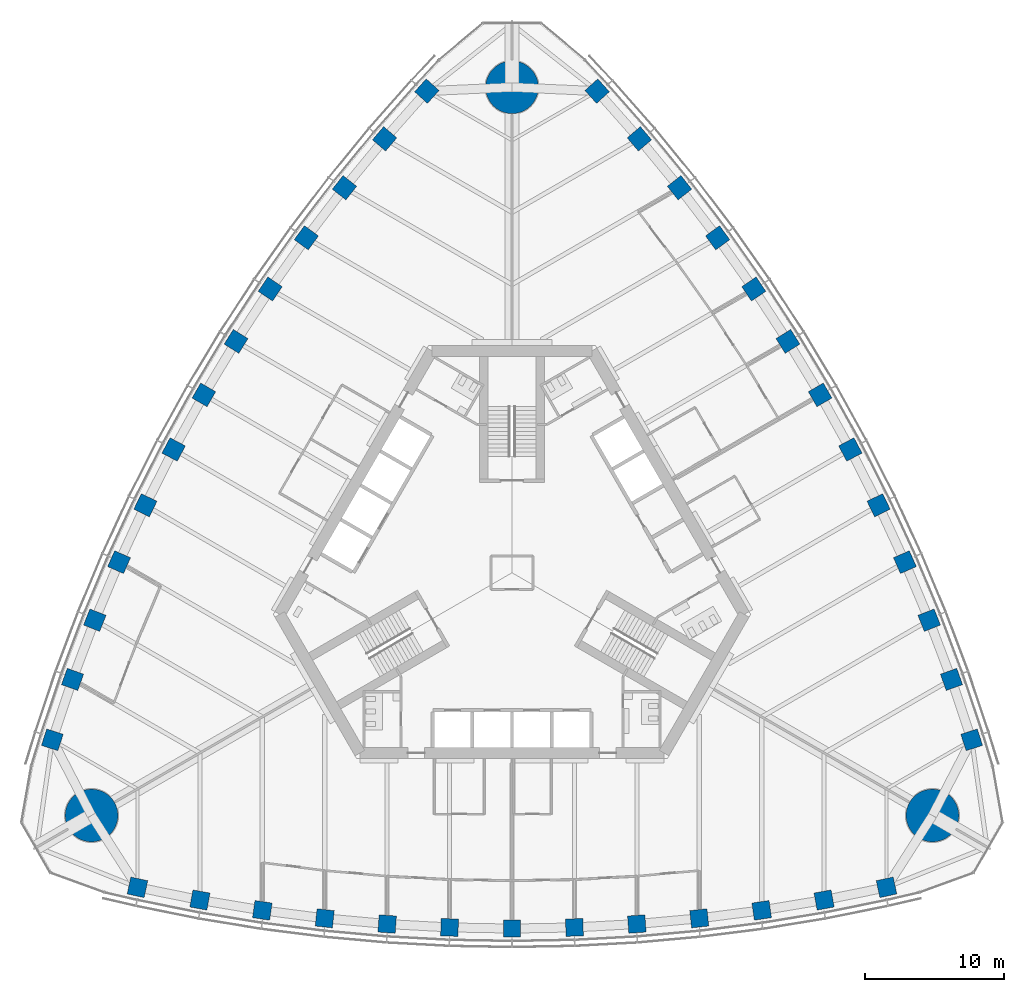
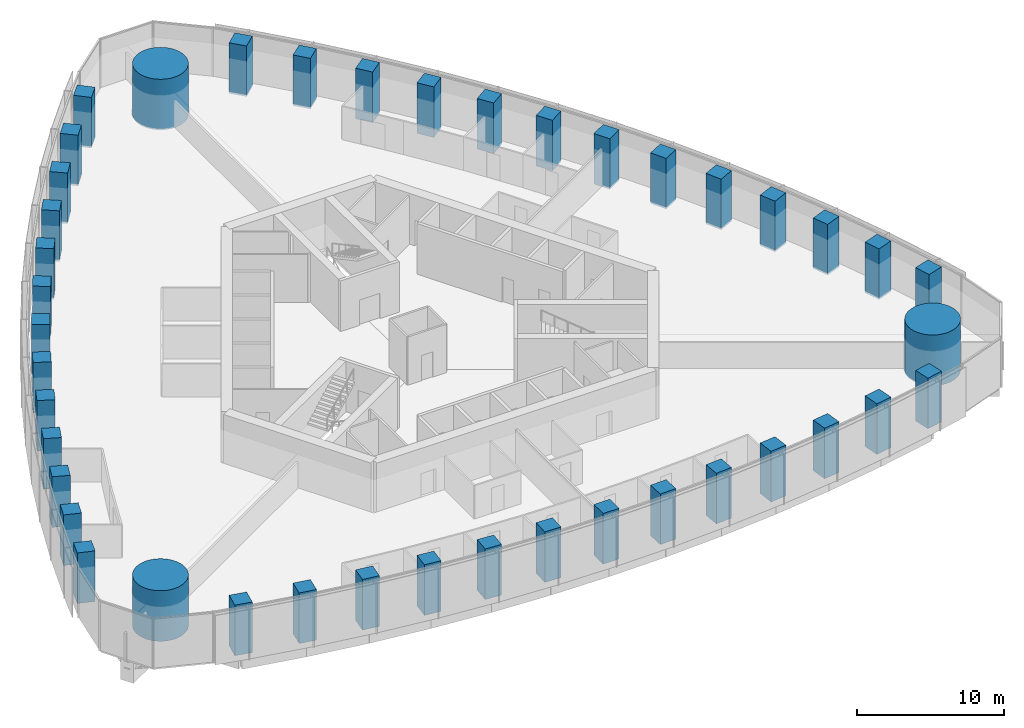
# One storey, part 1 of 19: 42 columns.
"""IFC4 building model written with IfcOpenShell, lengths in metres."""

import ifcopenshell
import ifcopenshell.guid

model = None  # the IFC model being written
_history = None  # IfcOwnerHistory: only IFC2X3 demands one
_inside = {}  # id of a spatial element -> (the spatial element, [elements in it])
_under = {}  # id of a project, library or spatial element -> (it, [spatial elements below it])
_declared = {}  # id of a project -> (the project, [libraries it declares])
_typed = {}  # id of a type object -> (the type object, [elements of that type])
_made_of = {}  # id of a material, layer set ... -> (it, [elements and type objects made of it])


def new_model(schema):
    """Start an empty IFC model of exactly this schema.

    Asked for "IFC4X3", IfcOpenShell would pick the latest addendum, in which some entities
    have other attributes; the version numbers below select the first issue.
    IFC2X3 requires an IfcOwnerHistory on every rooted entity: one is made here for all.
    """
    global model, _history
    if schema == "IFC4X3":
        model = ifcopenshell.file(schema_version=(4, 3, 0, 0))
    else:
        model = ifcopenshell.file(schema=schema)
    _inside.clear()
    _under.clear()
    _declared.clear()
    _typed.clear()
    _made_of.clear()
    _history = None
    if model.schema == "IFC2X3":
        org = make("IfcOrganization", Name="unknown")
        user = make(
            "IfcPersonAndOrganization",
            ThePerson=make("IfcPerson", FamilyName="unknown"),
            TheOrganization=org,
        )
        app = make(
            "IfcApplication",
            ApplicationDeveloper=org,
            Version="unknown",
            ApplicationFullName="unknown",
            ApplicationIdentifier="unknown",
        )
        _history = make(
            "IfcOwnerHistory",
            OwningUser=user,
            OwningApplication=app,
            ChangeAction="ADDED",
            CreationDate=0,
        )
    return model


def make(cls, **values):
    """One entity of the class cls with the attributes given. An attribute that is None is left unset."""
    return model.create_entity(
        cls, **{name: value for name, value in values.items() if value is not None}
    )


def rooted(cls, **values):
    """An entity with a GlobalId (a new one), such as an element, a storey or a relation."""
    return make(cls, GlobalId=ifcopenshell.guid.new(), OwnerHistory=_history, **values)


def si_unit(unit_type, name, prefix=None):
    """IfcSIUnit, for example si_unit("LENGTHUNIT", "METRE", prefix="MILLI")."""
    return make("IfcSIUnit", UnitType=unit_type, Prefix=prefix, Name=name)


def assignment(units):
    """IfcUnitAssignment: the units of a project."""
    return None if units is None else make("IfcUnitAssignment", Units=units)


def point(xyz):
    """IfcCartesianPoint."""
    return None if xyz is None else make("IfcCartesianPoint", Coordinates=xyz)


def direction(xyz):
    """IfcDirection."""
    return None if xyz is None else make("IfcDirection", DirectionRatios=xyz)


def frame(location, z_axis=None, x_axis=None):
    """IfcAxis2Placement3D, a coordinate frame: its origin and axes. An axis left out is left unset."""
    return make(
        "IfcAxis2Placement3D",
        Location=point(location),
        Axis=direction(z_axis),
        RefDirection=direction(x_axis),
    )


def frame_2d(location, x_axis=None):
    """IfcAxis2Placement2D, a coordinate frame in the plane: its origin and x axis."""
    return make(
        "IfcAxis2Placement2D", Location=point(location), RefDirection=direction(x_axis)
    )


def origin():
    """The frame at (0, 0, 0) with its axes left unset."""
    return frame((0.0, 0.0, 0.0))


def origin_2d():
    """The frame at (0, 0) in the plane with its x axis left unset."""
    return frame_2d((0.0, 0.0))


def place(relative_to, where):
    """IfcLocalPlacement: puts the frame where relative to a parent placement (None: the world)."""
    return make(
        "IfcLocalPlacement", PlacementRelTo=relative_to, RelativePlacement=where
    )


def context(
    kind, dimensions, precision=None, world=None, true_north=None, identifier=None
):
    """IfcGeometricRepresentationContext, for example the 3D "Model" context."""
    return make(
        "IfcGeometricRepresentationContext",
        ContextIdentifier=identifier,
        ContextType=kind,
        CoordinateSpaceDimension=dimensions,
        Precision=precision,
        WorldCoordinateSystem=world,
        TrueNorth=true_north,
    )


def subcontext(parent, identifier, kind, view, scale=None):
    """IfcGeometricRepresentationSubContext, for example "Body" below "Model"."""
    return make(
        "IfcGeometricRepresentationSubContext",
        ContextIdentifier=identifier,
        ContextType=kind,
        ParentContext=parent,
        TargetScale=scale,
        TargetView=view,
    )


def project(units=None, contexts=None):
    """IfcProject with its units and contexts."""
    return rooted(
        "IfcProject",
        Name="project",
        RepresentationContexts=contexts,
        UnitsInContext=assignment(units),
    )


def spatial(cls, under=None, at=None, **own):
    """A site, building, storey or space (cls), placed at a placement, below another one or the project."""
    s = rooted(cls, ObjectPlacement=at, **own)
    if under is not None:
        _under.setdefault(under.id(), (under, []))[1].append(s)
    return s


def profile(cls, at=None, kind="AREA", **sizes):
    """A parametric profile (cls). Its sizes go by their IFC names, for example OverallWidth=200.0."""
    return make(cls, ProfileType=kind, Position=at, **sizes)


def rectangle(**sizes):
    """IfcRectangleProfileDef."""
    return profile("IfcRectangleProfileDef", **sizes)


def circle(**sizes):
    """IfcCircleProfileDef."""
    return profile("IfcCircleProfileDef", **sizes)


def extrude(swept, where, along, depth):
    """IfcExtrudedAreaSolid: the profile swept, set in the frame where, extruded along a direction by depth."""
    return make(
        "IfcExtrudedAreaSolid",
        SweptArea=swept,
        Position=where,
        ExtrudedDirection=direction(along),
        Depth=depth,
    )


def shape(context_of_items, identifier, shape_type, items):
    """IfcShapeRepresentation: the items that make up one representation, for example the "Body"."""
    return make(
        "IfcShapeRepresentation",
        ContextOfItems=context_of_items,
        RepresentationIdentifier=identifier,
        RepresentationType=shape_type,
        Items=items,
    )


def material(Name=None, Category=None):
    """IfcMaterial."""
    return make("IfcMaterial", Name=Name, Category=Category)


def material_profile(
    of_material, cross_section, Name=None, Category=None, Priority=None
):
    """IfcMaterialProfile: a cross section and its material."""
    return make(
        "IfcMaterialProfile",
        Name=Name,
        Material=of_material,
        Profile=cross_section,
        Priority=Priority,
        Category=Category,
    )


def profile_set(profiles, Name=None, composite=None):
    """IfcMaterialProfileSet."""
    return make(
        "IfcMaterialProfileSet",
        Name=Name,
        MaterialProfiles=profiles,
        CompositeProfile=composite,
    )


def made_of(thing, what):
    """Note that an element or type object is made of a material, layer set ...; save() writes the relation."""
    if what is not None:
        _made_of.setdefault(what.id(), (what, []))[1].append(thing)
    return thing


def type_object(cls, material=None, **own):
    """A type object (cls), such as IfcWallType, which elements share."""
    return made_of(rooted(cls, **own), material)


def element(
    cls,
    number,
    at=None,
    inside=None,
    cuts=None,
    type_object=None,
    material=None,
    context=None,
    identifier="Body",
    shape_type=None,
    held_by="IfcProductDefinitionShape",
    body=None,
    shapes=None,
    **own,
):
    """One element of the class cls, such as IfcWall. Its Tag is "e" and its number.

    at: its placement. inside: the storey or other place that contains it. cuts: it is an
    opening in that element (IfcRelVoidsElement). A single representation is given by context,
    identifier, shape_type and body (its items); several are given by shapes. held_by: the class
    of the entity that holds the representations. save() writes the other relations.
    """
    e = rooted(cls, Tag="e%d" % number, ObjectPlacement=at, **own)
    if body is not None:
        shapes = [shape(context, identifier, shape_type, body)]
    if shapes is not None:
        e.Representation = make(held_by, Representations=shapes)
    if inside is not None:
        _inside.setdefault(inside.id(), (inside, []))[1].append(e)
    if cuts is not None:
        rooted(
            "IfcRelVoidsElement", RelatingBuildingElement=cuts, RelatedOpeningElement=e
        )
    if type_object is not None:
        _typed.setdefault(type_object.id(), (type_object, []))[1].append(e)
    return made_of(e, material)


def aggregate(whole, parts):
    """IfcRelAggregates: a whole, such as a stair, and the parts it consists of."""
    return rooted("IfcRelAggregates", RelatingObject=whole, RelatedObjects=parts)


def save(model, path):
    """Write the relations noted so far, then the file.

    IfcRelAggregates (storeys below a building ...), IfcRelContainedInSpatialStructure (elements
    in a storey), IfcRelDefinesByType, IfcRelAssociatesMaterial and IfcRelDeclares: one each for
    every whole, place, type object, material and project.
    """
    for whole, parts in _under.values():
        aggregate(whole, parts)
    for where, things in _inside.values():
        rooted(
            "IfcRelContainedInSpatialStructure",
            RelatedElements=things,
            RelatingStructure=where,
        )
    for kind, things in _typed.values():
        rooted("IfcRelDefinesByType", RelatedObjects=things, RelatingType=kind)
    for what, things in _made_of.values():
        rooted("IfcRelAssociatesMaterial", RelatedObjects=things, RelatingMaterial=what)
    for by, libraries in _declared.values():
        rooted("IfcRelDeclares", RelatingContext=by, RelatedDefinitions=libraries)
    model.write(path)


model = new_model("IFC4")

# Units and contexts
model_context = context("Model", 3, precision=1e-05, world=origin(), true_north=direction((0.0, 1.0)))
body_context = subcontext(model_context, "Body", "Model", "MODEL_VIEW")
ifc_project = project(units=[si_unit("LENGTHUNIT", "METRE"), si_unit("AREAUNIT", "SQUARE_METRE"), si_unit("VOLUMEUNIT", "CUBIC_METRE"), si_unit("PLANEANGLEUNIT", "RADIAN"), si_unit("MASSUNIT", "GRAM", prefix="KILO")], contexts=[model_context])

# Site, building, storey
site_placement = place(None, origin())
site = spatial("IfcSite", under=ifc_project, at=site_placement, CompositionType="ELEMENT")
building_placement = place(site_placement, origin())
building = spatial("IfcBuilding", under=site, at=building_placement, Name="Trefoil Bronze Tower", CompositionType="ELEMENT")
storey_placement = place(building_placement, frame((0.0, 0.0, 140.89990234375)))
storey = spatial("IfcBuildingStorey", under=building, at=storey_placement, Name="L32", CompositionType="ELEMENT", Elevation=140.89990234375)

# Columns
ifc_material_1 = material(Name="Concrete B80", Category="concrete")
ifc_material_profile_1 = material_profile(ifc_material_1, circle(Radius=1.89990234375, at=origin_2d()), Name="RC D3800")
ifc_profile_set_1 = profile_set([ifc_material_profile_1], Name="Concrete B80")
column_type_1 = type_object("IfcColumnType", Name="Mega column RC D3800", PredefinedType="COLUMN", material=ifc_profile_set_1)
for number, where, z_axis, x_axis, name in (
    (1, (30.310791015625, -17.5, 0.0), (0.0, 0.0, 1.0), (1.0, 0.0, 0.0), "Mega column K1 L32"),
    (2, (0.0, 35.0, 0.0), (0.0, 0.0, 1.0), (1.0, 0.0, 0.0), "Mega column K2 L32"),
    (3, (-30.310791015625, -17.5, 0.0), (0.0, 0.0, 1.0), (1.0, 0.0, 0.0), "Mega column K3 L32"),
):
    element("IfcColumn", number, at=place(storey_placement, frame(where, z_axis=z_axis, x_axis=x_axis)), inside=storey, type_object=column_type_1, Name=name, PredefinedType="COLUMN", context=body_context, shape_type="SweptSolid", body=[
        extrude(circle(Radius=1.89990234375, at=origin_2d()), origin(), (0.0, 0.0, 1.0), 4.2001953125),
    ])
ifc_material_2 = material(Name="Concrete B80", Category="concrete")
ifc_material_profile_2 = material_profile(ifc_material_2, rectangle(XDim=1.25, YDim=1.25, at=origin_2d()), Name="RC 1250x1250")
ifc_profile_set_2 = profile_set([ifc_material_profile_2], Name="Concrete B80")
column_type_2 = type_object("IfcColumnType", Name="Tube column RC 1250x1250", PredefinedType="COLUMN", material=ifc_profile_set_2)
for number, where, z_axis, x_axis, name in (
    (4, (-27.0, -22.67724609375, 0.0), (0.0, 0.0, 1.0), (0.977276081214, -0.21197042503, 0.0), "Tube column F1/-6 L32"),
    (5, (-22.5, -23.592529296875, 0.0), (0.0, 0.0, 1.0), (0.98362250613, -0.180240853954, 0.0), "Tube column F1/-5 L32"),
    (6, (-18.0, -24.337158203125, 0.0), (0.0, 0.0, 1.0), (0.989549714366, -0.144192103798, 0.0), "Tube column F1/-4 L32"),
    (7, (-13.5, -24.9130859375, 0.0), (0.0, 0.0, 1.0), (0.994135267447, -0.108143747013, 0.0), "Tube column F1/-3 L32"),
    (8, (-9.0, -25.32275390625, 0.0), (0.0, 0.0, 1.0), (0.997397720802, -0.072095676284, 0.0), "Tube column F1/-2 L32"),
    (9, (-4.5, -25.568115234375, 0.0), (0.0, 0.0, 1.0), (0.999350067136, -0.036047792107, 0.0), "Tube column F1/-1 L32"),
    (10, (0.0, -25.649658203125, 0.0), (0.0, 0.0, 1.0), (1.0, 0.0, 0.0), "Tube column F1/+0 L32"),
    (11, (4.5, -25.568115234375, 0.0), (0.0, 0.0, 1.0), (0.999350067136, 0.036047792107, 0.0), "Tube column F1/+1 L32"),
    (12, (9.0, -25.32275390625, 0.0), (0.0, 0.0, 1.0), (0.997397720802, 0.072095676284, 0.0), "Tube column F1/+2 L32"),
    (13, (13.5, -24.9130859375, 0.0), (0.0, 0.0, 1.0), (0.994135267447, 0.108143747013, 0.0), "Tube column F1/+3 L32"),
    (14, (18.0, -24.337158203125, 0.0), (0.0, 0.0, 1.0), (0.989549714366, 0.144192103798, 0.0), "Tube column F1/+4 L32"),
    (15, (22.5, -23.592529296875, 0.0), (0.0, 0.0, 1.0), (0.98362250613, 0.180240853954, 0.0), "Tube column F1/+5 L32"),
    (16, (27.0, -22.67724609375, 0.0), (0.0, 0.0, 1.0), (0.977276081214, 0.21197042503, 0.0), "Tube column F1/+6 L32"),
    (17, (33.13916015625, -12.044189453125, 0.0), (0.0, 0.0, 1.0), (-0.30506626768, 0.952331125357, 0.0), "Tube column F2/-6 L32"),
    (18, (31.681884765625, -7.689208984375, 0.0), (0.0, 0.0, 1.0), (-0.335718094742, 0.94196250502, 0.0), "Tube column F2/-5 L32"),
    (19, (30.07666015625, -3.419921875, 0.0), (0.0, 0.0, 1.0), (-0.369900832269, 0.929071242848, 0.0), "Tube column F2/-4 L32"),
    (20, (28.325439453125, 0.76513671875, 0.0), (0.0, 0.0, 1.0), (-0.40341240155, 0.915018269914, 0.0), "Tube column F2/-3 L32"),
    (21, (26.43017578125, 4.8671875, 0.0), (0.0, 0.0, 1.0), (-0.436262173236, 0.899819602033, 0.0), "Tube column F2/-2 L32"),
    (22, (24.392578125, 8.886962890625, 0.0), (0.0, 0.0, 1.0), (-0.468456729853, 0.883486441467, 0.0), "Tube column F2/-1 L32"),
    (23, (22.21337890625, 12.824951171875, 0.0), (0.0, 0.0, 1.0), (-0.5, 0.866025403784, 0.0), "Tube column F2/+0 L32"),
    (24, (19.892578125, 16.68115234375, 0.0), (0.0, 0.0, 1.0), (-0.530893337283, 0.84743864936, 0.0), "Tube column F2/+1 L32"),
    (25, (17.43017578125, 20.45556640625, 0.0), (0.0, 0.0, 1.0), (-0.561135547566, 0.827723925749, 0.0), "Tube column F2/+2 L32"),
    (26, (14.825439453125, 24.14794921875, 0.0), (0.0, 0.0, 1.0), (-0.590722865897, 0.806874522901, 0.0), "Tube column F2/+3 L32"),
    (27, (12.07666015625, 27.757080078125, 0.0), (0.0, 0.0, 1.0), (-0.619648882098, 0.78487913905, 0.0), "Tube column F2/+4 L32"),
    (28, (9.181884765625, 31.281982421875, 0.0), (0.0, 0.0, 1.0), (-0.647904411389, 0.761721651066, 0.0), "Tube column F2/+5 L32"),
    (29, (6.13916015625, 34.72119140625, 0.0), (0.0, 0.0, 1.0), (-0.672209813534, 0.740360700327, 0.0), "Tube column F2/+6 L32"),
    (30, (-6.13916015625, 34.72119140625, 0.0), (0.0, 0.0, 1.0), (-0.672209813534, -0.740360700327, 0.0), "Tube column F3/-6 L32"),
    (31, (-9.181884765625, 31.281982421875, 0.0), (0.0, 0.0, 1.0), (-0.647904411389, -0.761721651066, 0.0), "Tube column F3/-5 L32"),
    (32, (-12.07666015625, 27.757080078125, 0.0), (0.0, 0.0, 1.0), (-0.619648882098, -0.78487913905, 0.0), "Tube column F3/-4 L32"),
    (33, (-14.825439453125, 24.14794921875, 0.0), (0.0, 0.0, 1.0), (-0.590722865897, -0.806874522901, 0.0), "Tube column F3/-3 L32"),
    (34, (-17.43017578125, 20.45556640625, 0.0), (0.0, 0.0, 1.0), (-0.561135547566, -0.827723925749, 0.0), "Tube column F3/-2 L32"),
    (35, (-19.892578125, 16.68115234375, 0.0), (0.0, 0.0, 1.0), (-0.530893337283, -0.84743864936, 0.0), "Tube column F3/-1 L32"),
    (36, (-22.21337890625, 12.824951171875, 0.0), (0.0, 0.0, 1.0), (-0.5, -0.866025403784, 0.0), "Tube column F3/+0 L32"),
    (37, (-24.392578125, 8.886962890625, 0.0), (0.0, 0.0, 1.0), (-0.468456729853, -0.883486441467, 0.0), "Tube column F3/+1 L32"),
    (38, (-26.43017578125, 4.8671875, 0.0), (0.0, 0.0, 1.0), (-0.436262173236, -0.899819602033, 0.0), "Tube column F3/+2 L32"),
    (39, (-28.325439453125, 0.76513671875, 0.0), (0.0, 0.0, 1.0), (-0.40341240155, -0.915018269914, 0.0), "Tube column F3/+3 L32"),
    (40, (-30.07666015625, -3.419921875, 0.0), (0.0, 0.0, 1.0), (-0.369900832269, -0.929071242848, 0.0), "Tube column F3/+4 L32"),
    (41, (-31.681884765625, -7.689208984375, 0.0), (0.0, 0.0, 1.0), (-0.335718094742, -0.94196250502, 0.0), "Tube column F3/+5 L32"),
    (42, (-33.13916015625, -12.044189453125, 0.0), (0.0, 0.0, 1.0), (-0.30506626768, -0.952331125357, 0.0), "Tube column F3/+6 L32"),
):
    element("IfcColumn", number, at=place(storey_placement, frame(where, z_axis=z_axis, x_axis=x_axis)), inside=storey, type_object=column_type_2, Name=name, PredefinedType="COLUMN", context=body_context, shape_type="SweptSolid", body=[
        extrude(rectangle(XDim=1.25, YDim=1.25, at=origin_2d()), origin(), (0.0, 0.0, 1.0), 4.2001953125),
    ])

save(model, "model.ifc")
